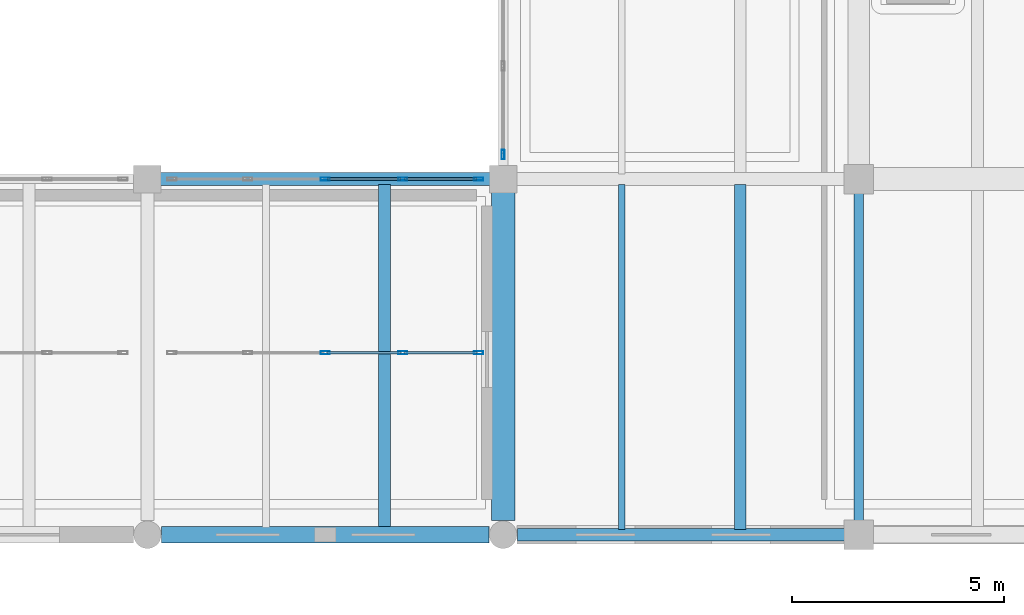
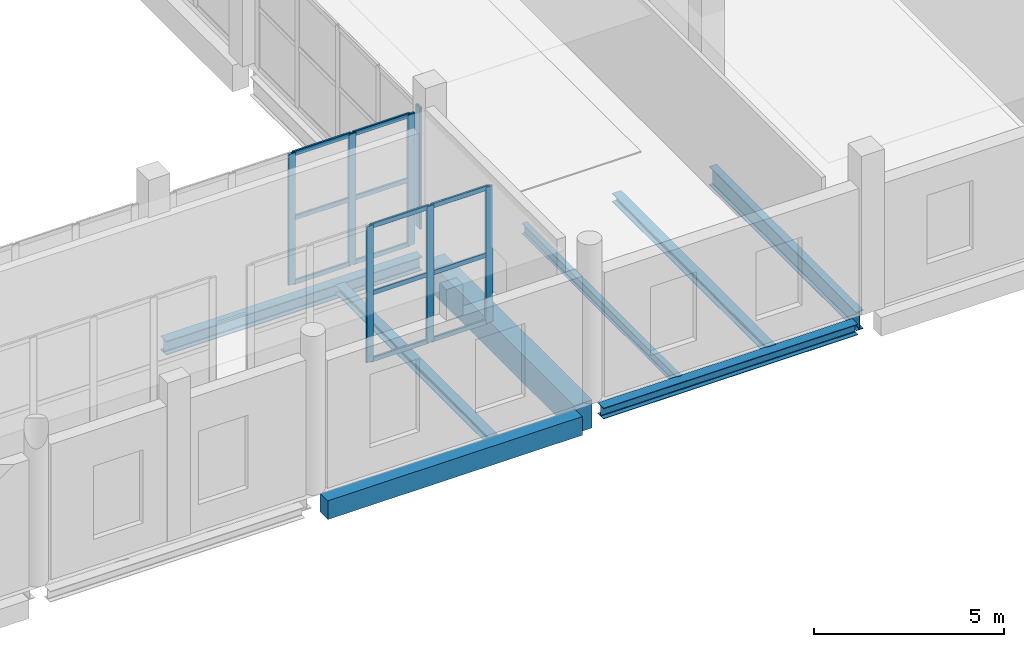
# One storey, part 22 of 73: 19 members, 8 beams, 3 elements without a shape of their own.
"""IFC4 building model written with IfcOpenShell, lengths in metres."""

import ifcopenshell
import ifcopenshell.guid

model = None  # the IFC model being written
_history = None  # IfcOwnerHistory: only IFC2X3 demands one
_inside = {}  # id of a spatial element -> (the spatial element, [elements in it])
_under = {}  # id of a project, library or spatial element -> (it, [spatial elements below it])
_declared = {}  # id of a project -> (the project, [libraries it declares])
_typed = {}  # id of a type object -> (the type object, [elements of that type])
_made_of = {}  # id of a material, layer set ... -> (it, [elements and type objects made of it])


def new_model(schema):
    """Start an empty IFC model of exactly this schema.

    Asked for "IFC4X3", IfcOpenShell would pick the latest addendum, in which some entities
    have other attributes; the version numbers below select the first issue.
    IFC2X3 requires an IfcOwnerHistory on every rooted entity: one is made here for all.
    """
    global model, _history
    if schema == "IFC4X3":
        model = ifcopenshell.file(schema_version=(4, 3, 0, 0))
    else:
        model = ifcopenshell.file(schema=schema)
    _inside.clear()
    _under.clear()
    _declared.clear()
    _typed.clear()
    _made_of.clear()
    _history = None
    if model.schema == "IFC2X3":
        org = make("IfcOrganization", Name="unknown")
        user = make(
            "IfcPersonAndOrganization",
            ThePerson=make("IfcPerson", FamilyName="unknown"),
            TheOrganization=org,
        )
        app = make(
            "IfcApplication",
            ApplicationDeveloper=org,
            Version="unknown",
            ApplicationFullName="unknown",
            ApplicationIdentifier="unknown",
        )
        _history = make(
            "IfcOwnerHistory",
            OwningUser=user,
            OwningApplication=app,
            ChangeAction="ADDED",
            CreationDate=0,
        )
    return model


def make(cls, **values):
    """One entity of the class cls with the attributes given. An attribute that is None is left unset."""
    return model.create_entity(
        cls, **{name: value for name, value in values.items() if value is not None}
    )


def rooted(cls, **values):
    """An entity with a GlobalId (a new one), such as an element, a storey or a relation."""
    return make(cls, GlobalId=ifcopenshell.guid.new(), OwnerHistory=_history, **values)


def si_unit(unit_type, name, prefix=None):
    """IfcSIUnit, for example si_unit("LENGTHUNIT", "METRE", prefix="MILLI")."""
    return make("IfcSIUnit", UnitType=unit_type, Prefix=prefix, Name=name)


def assignment(units):
    """IfcUnitAssignment: the units of a project."""
    return None if units is None else make("IfcUnitAssignment", Units=units)


def point(xyz):
    """IfcCartesianPoint."""
    return None if xyz is None else make("IfcCartesianPoint", Coordinates=xyz)


def direction(xyz):
    """IfcDirection."""
    return None if xyz is None else make("IfcDirection", DirectionRatios=xyz)


def frame(location, z_axis=None, x_axis=None):
    """IfcAxis2Placement3D, a coordinate frame: its origin and axes. An axis left out is left unset."""
    return make(
        "IfcAxis2Placement3D",
        Location=point(location),
        Axis=direction(z_axis),
        RefDirection=direction(x_axis),
    )


def frame_2d(location, x_axis=None):
    """IfcAxis2Placement2D, a coordinate frame in the plane: its origin and x axis."""
    return make(
        "IfcAxis2Placement2D", Location=point(location), RefDirection=direction(x_axis)
    )


def origin():
    """The frame at (0, 0, 0) with its axes left unset."""
    return frame((0.0, 0.0, 0.0))


def origin_2d():
    """The frame at (0, 0) in the plane with its x axis left unset."""
    return frame_2d((0.0, 0.0))


def place(relative_to, where):
    """IfcLocalPlacement: puts the frame where relative to a parent placement (None: the world)."""
    return make(
        "IfcLocalPlacement", PlacementRelTo=relative_to, RelativePlacement=where
    )


def context(
    kind, dimensions, precision=None, world=None, true_north=None, identifier=None
):
    """IfcGeometricRepresentationContext, for example the 3D "Model" context."""
    return make(
        "IfcGeometricRepresentationContext",
        ContextIdentifier=identifier,
        ContextType=kind,
        CoordinateSpaceDimension=dimensions,
        Precision=precision,
        WorldCoordinateSystem=world,
        TrueNorth=true_north,
    )


def subcontext(parent, identifier, kind, view, scale=None):
    """IfcGeometricRepresentationSubContext, for example "Body" below "Model"."""
    return make(
        "IfcGeometricRepresentationSubContext",
        ContextIdentifier=identifier,
        ContextType=kind,
        ParentContext=parent,
        TargetScale=scale,
        TargetView=view,
    )


def project(units=None, contexts=None):
    """IfcProject with its units and contexts."""
    return rooted(
        "IfcProject",
        Name="project",
        RepresentationContexts=contexts,
        UnitsInContext=assignment(units),
    )


def spatial(cls, under=None, at=None, **own):
    """A site, building, storey or space (cls), placed at a placement, below another one or the project."""
    s = rooted(cls, ObjectPlacement=at, **own)
    if under is not None:
        _under.setdefault(under.id(), (under, []))[1].append(s)
    return s


def profile(cls, at=None, kind="AREA", **sizes):
    """A parametric profile (cls). Its sizes go by their IFC names, for example OverallWidth=200.0."""
    return make(cls, ProfileType=kind, Position=at, **sizes)


def rectangle(**sizes):
    """IfcRectangleProfileDef."""
    return profile("IfcRectangleProfileDef", **sizes)


def hollow_rectangle(**sizes):
    """IfcRectangleHollowProfileDef."""
    return profile("IfcRectangleHollowProfileDef", **sizes)


def i_section(**sizes):
    """IfcIShapeProfileDef."""
    return profile("IfcIShapeProfileDef", **sizes)


def extrude(swept, where, along, depth):
    """IfcExtrudedAreaSolid: the profile swept, set in the frame where, extruded along a direction by depth."""
    return make(
        "IfcExtrudedAreaSolid",
        SweptArea=swept,
        Position=where,
        ExtrudedDirection=direction(along),
        Depth=depth,
    )


def shape(context_of_items, identifier, shape_type, items):
    """IfcShapeRepresentation: the items that make up one representation, for example the "Body"."""
    return make(
        "IfcShapeRepresentation",
        ContextOfItems=context_of_items,
        RepresentationIdentifier=identifier,
        RepresentationType=shape_type,
        Items=items,
    )


def material(Name=None, Category=None):
    """IfcMaterial."""
    return make("IfcMaterial", Name=Name, Category=Category)


def layer(
    of_material, thickness, ventilated=None, Name=None, Category=None, Priority=None
):
    """IfcMaterialLayer: one layer of a wall or slab, of a material (None: an air gap)."""
    return make(
        "IfcMaterialLayer",
        Material=of_material,
        LayerThickness=thickness,
        IsVentilated=ventilated,
        Name=Name,
        Category=Category,
        Priority=Priority,
    )


def layer_set(layers, Name=None):
    """IfcMaterialLayerSet."""
    return make("IfcMaterialLayerSet", MaterialLayers=layers, LayerSetName=Name)


def material_profile(
    of_material, cross_section, Name=None, Category=None, Priority=None
):
    """IfcMaterialProfile: a cross section and its material."""
    return make(
        "IfcMaterialProfile",
        Name=Name,
        Material=of_material,
        Profile=cross_section,
        Priority=Priority,
        Category=Category,
    )


def profile_set(profiles, Name=None, composite=None):
    """IfcMaterialProfileSet."""
    return make(
        "IfcMaterialProfileSet",
        Name=Name,
        MaterialProfiles=profiles,
        CompositeProfile=composite,
    )


def made_of(thing, what):
    """Note that an element or type object is made of a material, layer set ...; save() writes the relation."""
    if what is not None:
        _made_of.setdefault(what.id(), (what, []))[1].append(thing)
    return thing


def type_object(cls, material=None, **own):
    """A type object (cls), such as IfcWallType, which elements share."""
    return made_of(rooted(cls, **own), material)


def element(
    cls,
    number,
    at=None,
    inside=None,
    cuts=None,
    type_object=None,
    material=None,
    context=None,
    identifier="Body",
    shape_type=None,
    held_by="IfcProductDefinitionShape",
    body=None,
    shapes=None,
    **own,
):
    """One element of the class cls, such as IfcWall. Its Tag is "e" and its number.

    at: its placement. inside: the storey or other place that contains it. cuts: it is an
    opening in that element (IfcRelVoidsElement). A single representation is given by context,
    identifier, shape_type and body (its items); several are given by shapes. held_by: the class
    of the entity that holds the representations. save() writes the other relations.
    """
    e = rooted(cls, Tag="e%d" % number, ObjectPlacement=at, **own)
    if body is not None:
        shapes = [shape(context, identifier, shape_type, body)]
    if shapes is not None:
        e.Representation = make(held_by, Representations=shapes)
    if inside is not None:
        _inside.setdefault(inside.id(), (inside, []))[1].append(e)
    if cuts is not None:
        rooted(
            "IfcRelVoidsElement", RelatingBuildingElement=cuts, RelatedOpeningElement=e
        )
    if type_object is not None:
        _typed.setdefault(type_object.id(), (type_object, []))[1].append(e)
    return made_of(e, material)


def aggregate(whole, parts):
    """IfcRelAggregates: a whole, such as a stair, and the parts it consists of."""
    return rooted("IfcRelAggregates", RelatingObject=whole, RelatedObjects=parts)


def save(model, path):
    """Write the relations noted so far, then the file.

    IfcRelAggregates (storeys below a building ...), IfcRelContainedInSpatialStructure (elements
    in a storey), IfcRelDefinesByType, IfcRelAssociatesMaterial and IfcRelDeclares: one each for
    every whole, place, type object, material and project.
    """
    for whole, parts in _under.values():
        aggregate(whole, parts)
    for where, things in _inside.values():
        rooted(
            "IfcRelContainedInSpatialStructure",
            RelatedElements=things,
            RelatingStructure=where,
        )
    for kind, things in _typed.values():
        rooted("IfcRelDefinesByType", RelatedObjects=things, RelatingType=kind)
    for what, things in _made_of.values():
        rooted("IfcRelAssociatesMaterial", RelatedObjects=things, RelatingMaterial=what)
    for by, libraries in _declared.values():
        rooted("IfcRelDeclares", RelatingContext=by, RelatedDefinitions=libraries)
    model.write(path)


model = new_model("IFC4")

# Units and contexts
model_context = context("Model", 3, precision=1e-05, world=origin(), true_north=direction((0.0, 1.0)))
body_context = subcontext(model_context, "Body", "Model", "MODEL_VIEW")
ifc_project = project(units=[si_unit("LENGTHUNIT", "METRE"), si_unit("AREAUNIT", "SQUARE_METRE"), si_unit("VOLUMEUNIT", "CUBIC_METRE"), si_unit("PLANEANGLEUNIT", "RADIAN"), si_unit("MASSUNIT", "GRAM", prefix="KILO")], contexts=[model_context])

# Site, building, storey
site_placement = place(None, origin())
site = spatial("IfcSite", under=ifc_project, at=site_placement, CompositionType="ELEMENT")
building_placement = place(site_placement, origin())
building = spatial("IfcBuilding", under=site, at=building_placement, Name="Zulmaris Art Gallery", CompositionType="ELEMENT")
storey_placement = place(building_placement, frame((0.0, 0.0, 10.5)))
storey = spatial("IfcBuildingStorey", under=building, at=storey_placement, Name="L02", CompositionType="ELEMENT", Elevation=10.5)

# Beams
ifc_material_1 = material(Name="Steel S355J2", Category="steel")
ifc_material_profile_1 = material_profile(ifc_material_1, i_section(OverallWidth=0.219970703125, OverallDepth=0.60009765625, WebThickness=0.011962890625, FlangeThickness=0.01904296875, FilletRadius=0.02392578125, at=origin_2d()), Name="IPE 600")
ifc_profile_set_1 = profile_set([ifc_material_profile_1], Name="Steel S355J2")
beam_type_1 = type_object("IfcBeamType", Name="BEAM-BM07", PredefinedType="BEAM", material=ifc_profile_set_1)
beam_1_placement = place(storey_placement, frame((133.199951171875, 13.534912109375, -0.695068359375), z_axis=(0.0, 1.0, 0.0), x_axis=(-1.0, 0.0, 0.0)))
element("IfcBeam", 1, at=beam_1_placement, inside=storey, type_object=beam_type_1, Name="L02 Y-girder (x=133.2, 13.2..21.6)", PredefinedType="BEAM", context=body_context, shape_type="SweptSolid", body=[
    extrude(i_section(OverallWidth=0.219970703125, OverallDepth=0.60009765625, WebThickness=0.011962890625, FlangeThickness=0.01904296875, FilletRadius=0.02392578125, at=origin_2d()), origin(), (0.0, 0.0, 1.0), 7.72998046875),
])
ifc_material_profile_2 = material_profile(ifc_material_1, i_section(OverallWidth=0.300048828125, OverallDepth=0.43994140625, WebThickness=0.011474609375, FlangeThickness=0.02099609375, FilletRadius=0.027099609375, at=origin_2d()), Name="HEA 450")
ifc_profile_set_2 = profile_set([ifc_material_profile_2], Name="Steel S355J2")
beam_type_2 = type_object("IfcBeamType", Name="BEAM-BM10", PredefinedType="BEAM", material=ifc_profile_set_2)
beam_2_placement = place(storey_placement, frame((116.7099609375, 21.60009765625, -0.6201171875), z_axis=(1.0, 0.0, 0.0), x_axis=(0.0, 1.0, 0.0)))
element("IfcBeam", 2, at=beam_2_placement, inside=storey, type_object=beam_type_2, Name="L02 X-girder (116.4..124.8, y=21.6)", PredefinedType="BEAM", context=body_context, shape_type="SweptSolid", body=[
    extrude(i_section(OverallWidth=0.300048828125, OverallDepth=0.43994140625, WebThickness=0.011474609375, FlangeThickness=0.02099609375, FilletRadius=0.027099609375, at=origin_2d()), origin(), (0.0, 0.0, 1.0), 7.780029296875),
])
ifc_material_2 = material(Name="Concrete C40/50", Category="concrete")
ifc_material_profile_3 = material_profile(ifc_material_2, rectangle(XDim=0.550048828125, YDim=0.89990234375, at=origin_2d()), Name="RC 550x900")
ifc_profile_set_3 = profile_set([ifc_material_profile_3], Name="Concrete C40/50")
beam_type_3 = type_object("IfcBeamType", Name="BEAM-BM21", PredefinedType="BEAM", material=ifc_profile_set_3)
beam_3_placement = place(storey_placement, frame((124.800048828125, 13.534912109375, -0.85009765625), z_axis=(0.0, 1.0, 0.0), x_axis=(-1.0, 0.0, 0.0)))
element("IfcBeam", 3, at=beam_3_placement, inside=storey, type_object=beam_type_3, Name="L02 Y-girder (x=124.8, 13.2..21.6)", PredefinedType="BEAM", context=body_context, shape_type="SweptSolid", body=[
    extrude(rectangle(XDim=0.550048828125, YDim=0.89990234375, at=origin_2d()), origin(), (0.0, 0.0, 1.0), 7.755126953125),
])
ifc_material_profile_4 = material_profile(ifc_material_1, i_section(OverallWidth=0.159912109375, OverallDepth=0.330078125, WebThickness=0.007568359375, FlangeThickness=0.011474609375, FilletRadius=0.01806640625, at=origin_2d()), Name="IPE 330")
ifc_profile_set_4 = profile_set([ifc_material_profile_4], Name="Steel S355J2")
beam_type_4 = type_object("IfcBeamType", Name="BEAM-JS03", PredefinedType="JOIST", material=ifc_profile_set_4)
beam_4_placement = place(storey_placement, frame((127.60009765625, 13.324951171875, -0.56494140625), z_axis=(0.0, 1.0, 0.0), x_axis=(-1.0, 0.0, 0.0)))
element("IfcBeam", 4, at=beam_4_placement, inside=storey, type_object=beam_type_4, Name="L02 secondary joist at x=127.6", PredefinedType="JOIST", context=body_context, shape_type="SweptSolid", body=[
    extrude(i_section(OverallWidth=0.159912109375, OverallDepth=0.330078125, WebThickness=0.007568359375, FlangeThickness=0.011474609375, FilletRadius=0.01806640625, at=origin_2d()), origin(), (0.0, 0.0, 1.0), 8.150146484375),
])
ifc_material_profile_5 = material_profile(ifc_material_1, i_section(OverallWidth=0.280029296875, OverallDepth=0.27001953125, WebThickness=0.008056640625, FlangeThickness=0.012939453125, FilletRadius=0.02392578125, at=origin_2d()), Name="HEA 280")
ifc_profile_set_5 = profile_set([ifc_material_profile_5], Name="Steel S355J2")
beam_type_5 = type_object("IfcBeamType", Name="BEAM-JS04", PredefinedType="JOIST", material=ifc_profile_set_5)
beam_5_placement = place(storey_placement, frame((122.0, 13.375, -0.534912109375), z_axis=(0.0, 1.0, 0.0), x_axis=(-1.0, 0.0, 0.0)))
element("IfcBeam", 5, at=beam_5_placement, inside=storey, type_object=beam_type_5, Name="L02 secondary joist at x=122.0", PredefinedType="JOIST", context=body_context, shape_type="SweptSolid", body=[
    extrude(i_section(OverallWidth=0.280029296875, OverallDepth=0.27001953125, WebThickness=0.008056640625, FlangeThickness=0.012939453125, FilletRadius=0.02392578125, at=origin_2d()), origin(), (0.0, 0.0, 1.0), 8.10009765625),
])
beam_6_placement = place(storey_placement, frame((130.39990234375, 13.324951171875, -0.534912109375), z_axis=(0.0, 1.0, 0.0), x_axis=(-1.0, 0.0, 0.0)))
element("IfcBeam", 6, at=beam_6_placement, inside=storey, type_object=beam_type_5, Name="L02 secondary joist at x=130.4", PredefinedType="JOIST", context=body_context, shape_type="SweptSolid", body=[
    extrude(i_section(OverallWidth=0.280029296875, OverallDepth=0.27001953125, WebThickness=0.008056640625, FlangeThickness=0.012939453125, FilletRadius=0.02392578125, at=origin_2d()), origin(), (0.0, 0.0, 1.0), 8.150146484375),
])
ifc_material_profile_6 = material_profile(ifc_material_1, i_section(OverallWidth=0.300048828125, OverallDepth=0.35009765625, WebThickness=0.010009765625, FlangeThickness=0.017578125, FilletRadius=0.027099609375, at=origin_2d()), Name="HEA 360")
ifc_profile_set_6 = profile_set([ifc_material_profile_6], Name="Steel S355J2")
beam_type_6 = type_object("IfcBeamType", Name="BEAM-SP01", PredefinedType="SPANDREL", material=ifc_profile_set_6)
beam_7_placement = place(storey_placement, frame((125.135009765625, 13.199951171875, -0.574951171875), z_axis=(1.0, 0.0, 0.0), x_axis=(0.0, 1.0, 0.0)))
element("IfcBeam", 7, at=beam_7_placement, inside=storey, type_object=beam_type_6, Name="L02 X-girder (124.8..133.2, y=13.2)", PredefinedType="SPANDREL", context=body_context, shape_type="SweptSolid", body=[
    extrude(i_section(OverallWidth=0.300048828125, OverallDepth=0.35009765625, WebThickness=0.010009765625, FlangeThickness=0.017578125, FilletRadius=0.027099609375, at=origin_2d()), origin(), (0.0, 0.0, 1.0), 7.72998046875),
])
ifc_material_profile_7 = material_profile(ifc_material_2, rectangle(XDim=0.39990234375, YDim=0.60009765625, at=origin_2d()), Name="RC 400x600")
ifc_profile_set_7 = profile_set([ifc_material_profile_7], Name="Concrete C40/50")
beam_type_7 = type_object("IfcBeamType", Name="BEAM-SP03", PredefinedType="SPANDREL", material=ifc_profile_set_7)
beam_8_placement = place(storey_placement, frame((116.735107421875, 13.199951171875, -0.699951171875), z_axis=(1.0, 0.0, 0.0), x_axis=(0.0, 1.0, 0.0)))
element("IfcBeam", 8, at=beam_8_placement, inside=storey, type_object=beam_type_7, Name="L02 X-girder (116.4..124.8, y=13.2)", PredefinedType="SPANDREL", context=body_context, shape_type="SweptSolid", body=[
    extrude(rectangle(XDim=0.39990234375, YDim=0.60009765625, at=origin_2d()), origin(), (0.0, 0.0, 1.0), 7.72998046875),
])

# Curtain wall, members
ifc_material_3 = material(Name="Cloister & Court Glazed Curtain Wall", Category="aluminium")
ifc_layer_1 = layer(ifc_material_3, 0.179931640625)
ifc_layer_set_1 = layer_set([ifc_layer_1], Name="Cloister & Court Glazed Curtain Wall")
curtain_wall_type_1 = type_object("IfcCurtainWallType", Name="CW-CW03", PredefinedType="NOTDEFINED", material=ifc_layer_set_1)
curtain_wall_1_placement = place(storey_placement, origin())
curtain_wall_1 = element("IfcCurtainWall", 9, at=curtain_wall_1_placement, inside=storey, type_object=curtain_wall_type_1, Name="L02 curtain wall 65", PredefinedType="NOTDEFINED")
ifc_material_4 = material(Name="Anodised Bronze Aluminium", Category="aluminium")
ifc_material_profile_8 = material_profile(ifc_material_4, hollow_rectangle(XDim=0.074951171875, YDim=0.219970703125, WallThickness=0.0048828125, InnerFilletRadius=0.007568359375, OuterFilletRadius=0.012451171875, at=origin_2d()), Name="ALU 75x220x5")
ifc_profile_set_8 = profile_set([ifc_material_profile_8], Name="Anodised Bronze Aluminium")
member_type_1 = type_object("IfcMemberType", Name="CWMUL-02", PredefinedType="MULLION", material=ifc_profile_set_8)
member_1_placement = place(storey_placement, frame((120.60009765625, 17.5, 0.0), z_axis=(0.0, 0.0, 1.0), x_axis=(0.0, 1.0, 0.0)))
member_1 = element("IfcMember", 10, at=member_1_placement, type_object=member_type_1, Name="CW03 mullion 3", PredefinedType="MULLION", context=body_context, shape_type="SweptSolid", body=[
    extrude(hollow_rectangle(XDim=0.074951171875, YDim=0.219970703125, WallThickness=0.0048828125, InnerFilletRadius=0.007568359375, OuterFilletRadius=0.012451171875, at=origin_2d()), origin(), (0.0, 0.0, 1.0), 4.3701171875),
])
member_2_placement = place(storey_placement, frame((122.429931640625, 17.5, 0.0), z_axis=(0.0, 0.0, 1.0), x_axis=(0.0, 1.0, 0.0)))
member_2 = element("IfcMember", 11, at=member_2_placement, type_object=member_type_1, Name="CW03 mullion 4", PredefinedType="MULLION", context=body_context, shape_type="SweptSolid", body=[
    extrude(hollow_rectangle(XDim=0.074951171875, YDim=0.219970703125, WallThickness=0.0048828125, InnerFilletRadius=0.007568359375, OuterFilletRadius=0.012451171875, at=origin_2d()), origin(), (0.0, 0.0, 1.0), 4.3701171875),
])
member_3_placement = place(storey_placement, frame((124.222412109375, 17.5, 0.0), z_axis=(0.0, 0.0, 1.0), x_axis=(0.0, 1.0, 0.0)))
member_3 = element("IfcMember", 12, at=member_3_placement, type_object=member_type_1, Name="CW03 mullion 5", PredefinedType="MULLION", context=body_context, shape_type="SweptSolid", body=[
    extrude(hollow_rectangle(XDim=0.074951171875, YDim=0.219970703125, WallThickness=0.0048828125, InnerFilletRadius=0.007568359375, OuterFilletRadius=0.012451171875, at=origin_2d()), origin(), (0.0, 0.0, 1.0), 4.3701171875),
])

# Curtain wall, member
ifc_material_5 = material(Name="Unitised Low-E Gallery Curtain Wall", Category="aluminium")
ifc_layer_2 = layer(ifc_material_5, 0.179931640625)
ifc_layer_set_2 = layer_set([ifc_layer_2], Name="Unitised Low-E Gallery Curtain Wall")
curtain_wall_type_2 = type_object("IfcCurtainWallType", Name="CW-CW01", PredefinedType="NOTDEFINED", material=ifc_layer_set_2)
curtain_wall_2_placement = place(storey_placement, origin())
curtain_wall_2 = element("IfcCurtainWall", 13, at=curtain_wall_2_placement, inside=storey, type_object=curtain_wall_type_2, Name="L02 curtain wall 110", PredefinedType="NOTDEFINED")
member_4_placement = place(storey_placement, frame((124.800048828125, 22.177490234375, 0.0), z_axis=(0.0, 0.0, 1.0), x_axis=(-1.0, 0.0, 0.0)))
member_4 = element("IfcMember", 14, at=member_4_placement, type_object=member_type_1, Name="CW01 mullion 1", PredefinedType="MULLION", context=body_context, shape_type="SweptSolid", body=[
    extrude(hollow_rectangle(XDim=0.074951171875, YDim=0.219970703125, WallThickness=0.0048828125, InnerFilletRadius=0.007568359375, OuterFilletRadius=0.012451171875, at=origin_2d()), origin(), (0.0, 0.0, 1.0), 3.89990234375),
])
aggregate(curtain_wall_2, [member_4])

# Curtain wall, members
curtain_wall_3_placement = place(storey_placement, origin())
curtain_wall_3 = element("IfcCurtainWall", 15, at=curtain_wall_3_placement, inside=storey, type_object=curtain_wall_type_1, Name="L02 curtain wall 196", PredefinedType="NOTDEFINED")
member_5_placement = place(storey_placement, frame((120.60009765625, 21.60009765625, 0.0), z_axis=(0.0, 0.0, 1.0), x_axis=(0.0, 1.0, 0.0)))
member_5 = element("IfcMember", 16, at=member_5_placement, type_object=member_type_1, Name="CW03 mullion 3", PredefinedType="MULLION", context=body_context, shape_type="SweptSolid", body=[
    extrude(hollow_rectangle(XDim=0.074951171875, YDim=0.219970703125, WallThickness=0.0048828125, InnerFilletRadius=0.007568359375, OuterFilletRadius=0.012451171875, at=origin_2d()), origin(), (0.0, 0.0, 1.0), 4.2099609375),
])
member_6_placement = place(storey_placement, frame((122.429931640625, 21.60009765625, 0.0), z_axis=(0.0, 0.0, 1.0), x_axis=(0.0, 1.0, 0.0)))
member_6 = element("IfcMember", 17, at=member_6_placement, type_object=member_type_1, Name="CW03 mullion 4", PredefinedType="MULLION", context=body_context, shape_type="SweptSolid", body=[
    extrude(hollow_rectangle(XDim=0.074951171875, YDim=0.219970703125, WallThickness=0.0048828125, InnerFilletRadius=0.007568359375, OuterFilletRadius=0.012451171875, at=origin_2d()), origin(), (0.0, 0.0, 1.0), 4.2099609375),
])
member_7_placement = place(storey_placement, frame((124.222412109375, 21.60009765625, 0.0), z_axis=(0.0, 0.0, 1.0), x_axis=(0.0, 1.0, 0.0)))
member_7 = element("IfcMember", 18, at=member_7_placement, type_object=member_type_1, Name="CW03 mullion 5", PredefinedType="MULLION", context=body_context, shape_type="SweptSolid", body=[
    extrude(hollow_rectangle(XDim=0.074951171875, YDim=0.219970703125, WallThickness=0.0048828125, InnerFilletRadius=0.007568359375, OuterFilletRadius=0.012451171875, at=origin_2d()), origin(), (0.0, 0.0, 1.0), 4.2099609375),
])

# Member
ifc_material_profile_9 = material_profile(ifc_material_4, hollow_rectangle(XDim=0.06494140625, YDim=0.14990234375, WallThickness=0.00390625, InnerFilletRadius=0.006103515625, OuterFilletRadius=0.010009765625, at=origin_2d()), Name="ALU 65x150x4")
ifc_profile_set_9 = profile_set([ifc_material_profile_9], Name="Anodised Bronze Aluminium")
member_type_2 = type_object("IfcMemberType", Name="CWTRN-01", PredefinedType="USERDEFINED", material=ifc_profile_set_9)
member_8_placement = place(storey_placement, frame((120.637451171875, 17.5, 0.03759765625), z_axis=(1.0, 0.0, 0.0), x_axis=(0.0, 1.0, 0.0)))
member_8 = element("IfcMember", 19, at=member_8_placement, type_object=member_type_2, Name="CW03 transom 3.1", ObjectType="TRANSOM", PredefinedType="USERDEFINED", context=body_context, shape_type="SweptSolid", body=[
    extrude(hollow_rectangle(XDim=0.06494140625, YDim=0.14990234375, WallThickness=0.00390625, InnerFilletRadius=0.006103515625, OuterFilletRadius=0.010009765625, at=origin_2d()), origin(), (0.0, 0.0, 1.0), 1.755126953125),
])

member_9_placement = place(storey_placement, frame((120.637451171875, 17.5, 2.18505859375), z_axis=(1.0, 0.0, 0.0), x_axis=(0.0, 1.0, 0.0)))
member_9 = element("IfcMember", 20, at=member_9_placement, type_object=member_type_2, Name="CW03 transom 3.2", ObjectType="TRANSOM", PredefinedType="USERDEFINED", context=body_context, shape_type="SweptSolid", body=[
    extrude(hollow_rectangle(XDim=0.06494140625, YDim=0.14990234375, WallThickness=0.00390625, InnerFilletRadius=0.006103515625, OuterFilletRadius=0.010009765625, at=origin_2d()), origin(), (0.0, 0.0, 1.0), 1.755126953125),
])

member_10_placement = place(storey_placement, frame((120.637451171875, 17.5, 4.33251953125), z_axis=(1.0, 0.0, 0.0), x_axis=(0.0, 1.0, 0.0)))
member_10 = element("IfcMember", 21, at=member_10_placement, type_object=member_type_2, Name="CW03 transom 3.3", ObjectType="TRANSOM", PredefinedType="USERDEFINED", context=body_context, shape_type="SweptSolid", body=[
    extrude(hollow_rectangle(XDim=0.06494140625, YDim=0.14990234375, WallThickness=0.00390625, InnerFilletRadius=0.006103515625, OuterFilletRadius=0.010009765625, at=origin_2d()), origin(), (0.0, 0.0, 1.0), 1.755126953125),
])

member_11_placement = place(storey_placement, frame((122.467529296875, 17.5, 0.03759765625), z_axis=(1.0, 0.0, 0.0), x_axis=(0.0, 1.0, 0.0)))
member_11 = element("IfcMember", 22, at=member_11_placement, type_object=member_type_2, Name="CW03 transom 4.1", ObjectType="TRANSOM", PredefinedType="USERDEFINED", context=body_context, shape_type="SweptSolid", body=[
    extrude(hollow_rectangle(XDim=0.06494140625, YDim=0.14990234375, WallThickness=0.00390625, InnerFilletRadius=0.006103515625, OuterFilletRadius=0.010009765625, at=origin_2d()), origin(), (0.0, 0.0, 1.0), 1.717529296875),
])

member_12_placement = place(storey_placement, frame((122.467529296875, 17.5, 2.18505859375), z_axis=(1.0, 0.0, 0.0), x_axis=(0.0, 1.0, 0.0)))
member_12 = element("IfcMember", 23, at=member_12_placement, type_object=member_type_2, Name="CW03 transom 4.2", ObjectType="TRANSOM", PredefinedType="USERDEFINED", context=body_context, shape_type="SweptSolid", body=[
    extrude(hollow_rectangle(XDim=0.06494140625, YDim=0.14990234375, WallThickness=0.00390625, InnerFilletRadius=0.006103515625, OuterFilletRadius=0.010009765625, at=origin_2d()), origin(), (0.0, 0.0, 1.0), 1.717529296875),
])

member_13_placement = place(storey_placement, frame((122.467529296875, 17.5, 4.33251953125), z_axis=(1.0, 0.0, 0.0), x_axis=(0.0, 1.0, 0.0)))
member_13 = element("IfcMember", 24, at=member_13_placement, type_object=member_type_2, Name="CW03 transom 4.3", ObjectType="TRANSOM", PredefinedType="USERDEFINED", context=body_context, shape_type="SweptSolid", body=[
    extrude(hollow_rectangle(XDim=0.06494140625, YDim=0.14990234375, WallThickness=0.00390625, InnerFilletRadius=0.006103515625, OuterFilletRadius=0.010009765625, at=origin_2d()), origin(), (0.0, 0.0, 1.0), 1.717529296875),
])

aggregate(curtain_wall_1, [member_1, member_2, member_3, member_8, member_9, member_10, member_11, member_12, member_13])

member_14_placement = place(storey_placement, frame((120.637451171875, 21.60009765625, 0.03759765625), z_axis=(1.0, 0.0, 0.0), x_axis=(0.0, 1.0, 0.0)))
member_14 = element("IfcMember", 25, at=member_14_placement, type_object=member_type_2, Name="CW03 transom 3.1", ObjectType="TRANSOM", PredefinedType="USERDEFINED", context=body_context, shape_type="SweptSolid", body=[
    extrude(hollow_rectangle(XDim=0.06494140625, YDim=0.14990234375, WallThickness=0.00390625, InnerFilletRadius=0.006103515625, OuterFilletRadius=0.010009765625, at=origin_2d()), origin(), (0.0, 0.0, 1.0), 1.755126953125),
])

member_15_placement = place(storey_placement, frame((120.637451171875, 21.60009765625, 2.10498046875), z_axis=(1.0, 0.0, 0.0), x_axis=(0.0, 1.0, 0.0)))
member_15 = element("IfcMember", 26, at=member_15_placement, type_object=member_type_2, Name="CW03 transom 3.2", ObjectType="TRANSOM", PredefinedType="USERDEFINED", context=body_context, shape_type="SweptSolid", body=[
    extrude(hollow_rectangle(XDim=0.06494140625, YDim=0.14990234375, WallThickness=0.00390625, InnerFilletRadius=0.006103515625, OuterFilletRadius=0.010009765625, at=origin_2d()), origin(), (0.0, 0.0, 1.0), 1.755126953125),
])

member_16_placement = place(storey_placement, frame((120.637451171875, 21.60009765625, 4.172607421875), z_axis=(1.0, 0.0, 0.0), x_axis=(0.0, 1.0, 0.0)))
member_16 = element("IfcMember", 27, at=member_16_placement, type_object=member_type_2, Name="CW03 transom 3.3", ObjectType="TRANSOM", PredefinedType="USERDEFINED", context=body_context, shape_type="SweptSolid", body=[
    extrude(hollow_rectangle(XDim=0.06494140625, YDim=0.14990234375, WallThickness=0.00390625, InnerFilletRadius=0.006103515625, OuterFilletRadius=0.010009765625, at=origin_2d()), origin(), (0.0, 0.0, 1.0), 1.755126953125),
])

member_17_placement = place(storey_placement, frame((122.467529296875, 21.60009765625, 0.03759765625), z_axis=(1.0, 0.0, 0.0), x_axis=(0.0, 1.0, 0.0)))
member_17 = element("IfcMember", 28, at=member_17_placement, type_object=member_type_2, Name="CW03 transom 4.1", ObjectType="TRANSOM", PredefinedType="USERDEFINED", context=body_context, shape_type="SweptSolid", body=[
    extrude(hollow_rectangle(XDim=0.06494140625, YDim=0.14990234375, WallThickness=0.00390625, InnerFilletRadius=0.006103515625, OuterFilletRadius=0.010009765625, at=origin_2d()), origin(), (0.0, 0.0, 1.0), 1.717529296875),
])

member_18_placement = place(storey_placement, frame((122.467529296875, 21.60009765625, 2.10498046875), z_axis=(1.0, 0.0, 0.0), x_axis=(0.0, 1.0, 0.0)))
member_18 = element("IfcMember", 29, at=member_18_placement, type_object=member_type_2, Name="CW03 transom 4.2", ObjectType="TRANSOM", PredefinedType="USERDEFINED", context=body_context, shape_type="SweptSolid", body=[
    extrude(hollow_rectangle(XDim=0.06494140625, YDim=0.14990234375, WallThickness=0.00390625, InnerFilletRadius=0.006103515625, OuterFilletRadius=0.010009765625, at=origin_2d()), origin(), (0.0, 0.0, 1.0), 1.717529296875),
])

member_19_placement = place(storey_placement, frame((122.467529296875, 21.60009765625, 4.172607421875), z_axis=(1.0, 0.0, 0.0), x_axis=(0.0, 1.0, 0.0)))
member_19 = element("IfcMember", 30, at=member_19_placement, type_object=member_type_2, Name="CW03 transom 4.3", ObjectType="TRANSOM", PredefinedType="USERDEFINED", context=body_context, shape_type="SweptSolid", body=[
    extrude(hollow_rectangle(XDim=0.06494140625, YDim=0.14990234375, WallThickness=0.00390625, InnerFilletRadius=0.006103515625, OuterFilletRadius=0.010009765625, at=origin_2d()), origin(), (0.0, 0.0, 1.0), 1.717529296875),
])

aggregate(curtain_wall_3, [member_5, member_6, member_7, member_14, member_15, member_16, member_17, member_18, member_19])

save(model, "model.ifc")
